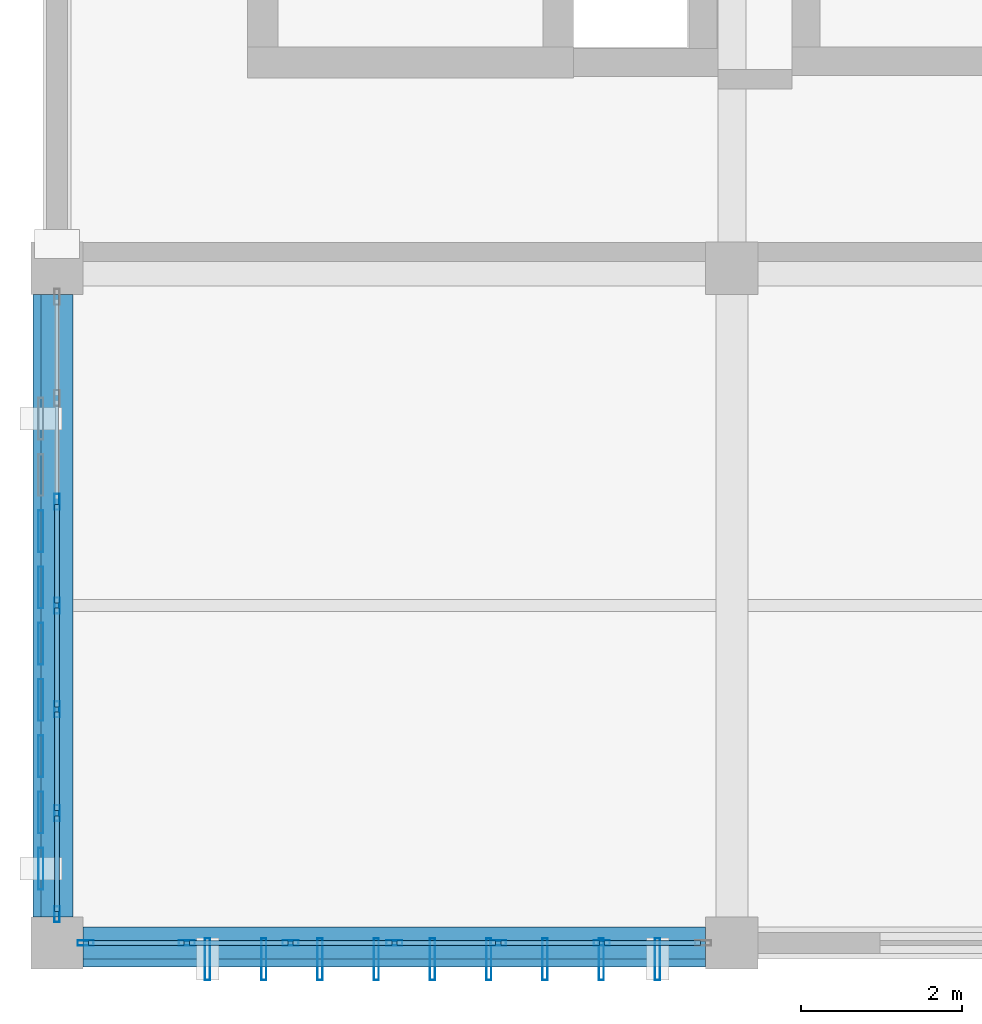
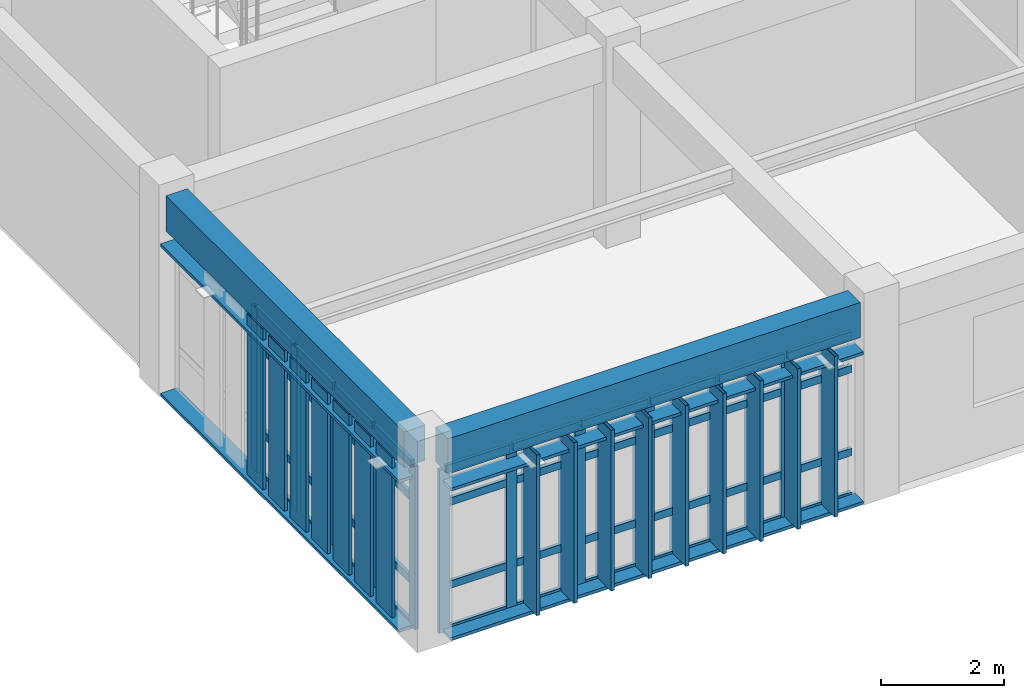
# One storey, part 4 of 22: 71 members, 2 beams, 2 elements without a shape of their own.
"""IFC4 building model written with IfcOpenShell, lengths in metres."""

from ifc_helpers import new_model, si_unit, direction, frame, origin, origin_2d, place, context, subcontext, project, spatial, rectangle, hollow_rectangle, extrude, material, layer, layer_set, material_profile, profile_set, type_object, element, aggregate, save


model = new_model("IFC4")

# Units and contexts
model_context = context("Model", 3, precision=1e-05, world=origin(), true_north=direction((0.0, 1.0)))
body_context = subcontext(model_context, "Body", "Model", "MODEL_VIEW")
ifc_project = project(units=[si_unit("LENGTHUNIT", "METRE"), si_unit("AREAUNIT", "SQUARE_METRE"), si_unit("VOLUMEUNIT", "CUBIC_METRE"), si_unit("PLANEANGLEUNIT", "RADIAN"), si_unit("MASSUNIT", "GRAM", prefix="KILO")], contexts=[model_context])

# Site, building, storey
site_placement = place(None, origin())
site = spatial("IfcSite", under=ifc_project, at=site_placement, CompositionType="ELEMENT")
building_placement = place(site_placement, origin())
building = spatial("IfcBuilding", under=site, at=building_placement, Name="Krzemoval Escarpment Law Courts", CompositionType="ELEMENT")
storey_placement = place(building_placement, frame((0.0, 0.0, 29.39990234375)))
storey = spatial("IfcBuildingStorey", under=building, at=storey_placement, Name="L06", CompositionType="ELEMENT", Elevation=29.39990234375)

# Beams
ifc_material_1 = material(Name="Concrete C40/50", Category="concrete")
ifc_material_profile_1 = material_profile(ifc_material_1, rectangle(XDim=0.39990234375, YDim=0.699951171875, at=origin_2d()), Name="RCB 400x700")
ifc_profile_set_1 = profile_set([ifc_material_profile_1], Name="Concrete C40/50")
beam_type = type_object("IfcBeamType", Name="BM-RC-400x700", PredefinedType="BEAM", material=ifc_profile_set_1)
for number, where, z_axis, x_axis, name in (
    (1, (126.324951171875, 85.199951171875, 3.60009765625), (1.0, 0.0, 0.0), (0.0, 1.0, 0.0), "Beam FG-L06-2634"),
    (2, (126.0, 85.52490234375, 3.60009765625), (0.0, 1.0, 0.0), (-1.0, 0.0, 0.0), "Beam FG-L06-2660"),
):
    element("IfcBeam", number, at=place(storey_placement, frame(where, z_axis=z_axis, x_axis=x_axis)), inside=storey, type_object=beam_type, Name=name, PredefinedType="BEAM", context=body_context, shape_type="SweptSolid", body=[
        extrude(rectangle(XDim=0.39990234375, YDim=0.699951171875, at=origin_2d()), origin(), (0.0, 0.0, 1.0), 7.75),
    ])

# Curtain wall, members
ifc_material_2 = material(Name="Aluminium 6063-T6", Category="aluminium")
ifc_layer = layer(ifc_material_2, 0.219970703125)
ifc_layer_set = layer_set([ifc_layer], Name="Aluminium 6063-T6")
curtain_wall_type = type_object("IfcCurtainWallType", Name="CW-CHMB-4200", PredefinedType="USERDEFINED", material=ifc_layer_set)
curtain_wall_1_placement = place(storey_placement, origin())
curtain_wall_1 = element("IfcCurtainWall", 3, at=curtain_wall_1_placement, inside=storey, type_object=curtain_wall_type, Name="Unitised Curtain Wall FCW-L06-145", ObjectType="UNITISED_CURTAIN_WALL", PredefinedType="USERDEFINED")
ifc_material_3 = material(Name="Aluminium 6063-T6", Category="aluminium")
ifc_material_profile_2 = material_profile(ifc_material_3, hollow_rectangle(XDim=0.06494140625, YDim=0.199951171875, WallThickness=0.00439453125, at=origin_2d()), Name="ALU M65x200")
ifc_profile_set_2 = profile_set([ifc_material_profile_2], Name="Aluminium 6063-T6")
member_type_1 = type_object("IfcMemberType", Name="CWM-65x200", PredefinedType="MULLION", material=ifc_profile_set_2)
member_1_placement = place(storey_placement, frame((132.783447265625, 85.199951171875, 0.0), z_axis=(0.0, 0.0, 1.0), x_axis=(0.0, -1.0, 0.0)))
member_1 = element("IfcMember", 4, at=member_1_placement, type_object=member_type_1, Name="FCW-L06-145 mullion 2", PredefinedType="MULLION", context=body_context, shape_type="SweptSolid", body=[
    extrude(hollow_rectangle(XDim=0.06494140625, YDim=0.199951171875, WallThickness=0.00439453125, at=origin_2d()), origin(), (0.0, 0.0, 1.0), 3.25),
])
member_2_placement = place(storey_placement, frame((131.49169921875, 85.199951171875, 0.0), z_axis=(0.0, 0.0, 1.0), x_axis=(0.0, -1.0, 0.0)))
member_2 = element("IfcMember", 5, at=member_2_placement, type_object=member_type_1, Name="FCW-L06-145 mullion 3", PredefinedType="MULLION", context=body_context, shape_type="SweptSolid", body=[
    extrude(hollow_rectangle(XDim=0.06494140625, YDim=0.199951171875, WallThickness=0.00439453125, at=origin_2d()), origin(), (0.0, 0.0, 1.0), 3.25),
])
member_3_placement = place(storey_placement, frame((130.199951171875, 85.199951171875, 0.0), z_axis=(0.0, 0.0, 1.0), x_axis=(0.0, -1.0, 0.0)))
member_3 = element("IfcMember", 6, at=member_3_placement, type_object=member_type_1, Name="FCW-L06-145 mullion 4", PredefinedType="MULLION", context=body_context, shape_type="SweptSolid", body=[
    extrude(hollow_rectangle(XDim=0.06494140625, YDim=0.199951171875, WallThickness=0.00439453125, at=origin_2d()), origin(), (0.0, 0.0, 1.0), 3.25),
])
member_4_placement = place(storey_placement, frame((128.908447265625, 85.199951171875, 0.0), z_axis=(0.0, 0.0, 1.0), x_axis=(0.0, -1.0, 0.0)))
member_4 = element("IfcMember", 7, at=member_4_placement, type_object=member_type_1, Name="FCW-L06-145 mullion 5", PredefinedType="MULLION", context=body_context, shape_type="SweptSolid", body=[
    extrude(hollow_rectangle(XDim=0.06494140625, YDim=0.199951171875, WallThickness=0.00439453125, at=origin_2d()), origin(), (0.0, 0.0, 1.0), 3.25),
])
member_5_placement = place(storey_placement, frame((127.61669921875, 85.199951171875, 0.0), z_axis=(0.0, 0.0, 1.0), x_axis=(0.0, -1.0, 0.0)))
member_5 = element("IfcMember", 8, at=member_5_placement, type_object=member_type_1, Name="FCW-L06-145 mullion 6", PredefinedType="MULLION", context=body_context, shape_type="SweptSolid", body=[
    extrude(hollow_rectangle(XDim=0.06494140625, YDim=0.199951171875, WallThickness=0.00439453125, at=origin_2d()), origin(), (0.0, 0.0, 1.0), 3.25),
])
member_6_placement = place(storey_placement, frame((126.357421875, 85.199951171875, 0.0), z_axis=(0.0, 0.0, 1.0), x_axis=(0.0, -1.0, 0.0)))
member_6 = element("IfcMember", 9, at=member_6_placement, type_object=member_type_1, Name="FCW-L06-145 mullion 7", PredefinedType="MULLION", context=body_context, shape_type="SweptSolid", body=[
    extrude(hollow_rectangle(XDim=0.06494140625, YDim=0.199951171875, WallThickness=0.00439453125, at=origin_2d()), origin(), (0.0, 0.0, 1.0), 3.25),
])

curtain_wall_2_placement = place(storey_placement, origin())
curtain_wall_2 = element("IfcCurtainWall", 10, at=curtain_wall_2_placement, inside=storey, type_object=curtain_wall_type, Name="Unitised Curtain Wall FCW-L06-146", ObjectType="UNITISED_CURTAIN_WALL", PredefinedType="USERDEFINED")
member_7_placement = place(storey_placement, frame((126.0, 85.5576171875, 0.0), z_axis=(0.0, 0.0, 1.0), x_axis=(-1.0, 0.0, 0.0)))
member_7 = element("IfcMember", 11, at=member_7_placement, type_object=member_type_1, Name="FCW-L06-146 mullion 1", PredefinedType="MULLION", context=body_context, shape_type="SweptSolid", body=[
    extrude(hollow_rectangle(XDim=0.06494140625, YDim=0.199951171875, WallThickness=0.00439453125, at=origin_2d()), origin(), (0.0, 0.0, 1.0), 3.25),
])
member_8_placement = place(storey_placement, frame((126.0, 86.816650390625, 0.0), z_axis=(0.0, 0.0, 1.0), x_axis=(-1.0, 0.0, 0.0)))
member_8 = element("IfcMember", 12, at=member_8_placement, type_object=member_type_1, Name="FCW-L06-146 mullion 2", PredefinedType="MULLION", context=body_context, shape_type="SweptSolid", body=[
    extrude(hollow_rectangle(XDim=0.06494140625, YDim=0.199951171875, WallThickness=0.00439453125, at=origin_2d()), origin(), (0.0, 0.0, 1.0), 3.25),
])
member_9_placement = place(storey_placement, frame((126.0, 88.1083984375, 0.0), z_axis=(0.0, 0.0, 1.0), x_axis=(-1.0, 0.0, 0.0)))
member_9 = element("IfcMember", 13, at=member_9_placement, type_object=member_type_1, Name="FCW-L06-146 mullion 3", PredefinedType="MULLION", context=body_context, shape_type="SweptSolid", body=[
    extrude(hollow_rectangle(XDim=0.06494140625, YDim=0.199951171875, WallThickness=0.00439453125, at=origin_2d()), origin(), (0.0, 0.0, 1.0), 3.25),
])
member_10_placement = place(storey_placement, frame((126.0, 89.39990234375, 0.0), z_axis=(0.0, 0.0, 1.0), x_axis=(-1.0, 0.0, 0.0)))
member_10 = element("IfcMember", 14, at=member_10_placement, type_object=member_type_1, Name="FCW-L06-146 mullion 4", PredefinedType="MULLION", context=body_context, shape_type="SweptSolid", body=[
    extrude(hollow_rectangle(XDim=0.06494140625, YDim=0.199951171875, WallThickness=0.00439453125, at=origin_2d()), origin(), (0.0, 0.0, 1.0), 3.25),
])
member_11_placement = place(storey_placement, frame((126.0, 90.691650390625, 0.0), z_axis=(0.0, 0.0, 1.0), x_axis=(-1.0, 0.0, 0.0)))
member_11 = element("IfcMember", 15, at=member_11_placement, type_object=member_type_1, Name="FCW-L06-146 mullion 5", PredefinedType="MULLION", context=body_context, shape_type="SweptSolid", body=[
    extrude(hollow_rectangle(XDim=0.06494140625, YDim=0.199951171875, WallThickness=0.00439453125, at=origin_2d()), origin(), (0.0, 0.0, 1.0), 3.25),
])

# Member
ifc_material_4 = material(Name="Aluminium 6063-T6", Category="aluminium")
ifc_material_profile_3 = material_profile(ifc_material_4, hollow_rectangle(XDim=0.06494140625, YDim=0.14990234375, WallThickness=0.00439453125, at=origin_2d()), Name="ALU T65x150")
ifc_profile_set_3 = profile_set([ifc_material_profile_3], Name="Aluminium 6063-T6")
member_type_2 = type_object("IfcMemberType", Name="CWT-65x150", PredefinedType="USERDEFINED", material=ifc_profile_set_3)
member_12_placement = place(storey_placement, frame((134.010009765625, 85.199951171875, 0.03271484375), z_axis=(-1.0, 0.0, 0.0), x_axis=(0.0, -1.0, 0.0)))
member_12 = element("IfcMember", 16, at=member_12_placement, type_object=member_type_2, Name="FCW-L06-145 transom 1.1", ObjectType="TRANSOM", PredefinedType="USERDEFINED", context=body_context, shape_type="SweptSolid", body=[
    extrude(hollow_rectangle(XDim=0.06494140625, YDim=0.14990234375, WallThickness=0.00439453125, at=origin_2d()), origin(), (0.0, 0.0, 1.0), 1.194091796875),
])

member_13_placement = place(storey_placement, frame((134.010009765625, 85.199951171875, 0.900146484375), z_axis=(-1.0, 0.0, 0.0), x_axis=(0.0, -1.0, 0.0)))
member_13 = element("IfcMember", 17, at=member_13_placement, type_object=member_type_2, Name="FCW-L06-145 transom 1.2", ObjectType="TRANSOM", PredefinedType="USERDEFINED", context=body_context, shape_type="SweptSolid", body=[
    extrude(hollow_rectangle(XDim=0.06494140625, YDim=0.14990234375, WallThickness=0.00439453125, at=origin_2d()), origin(), (0.0, 0.0, 1.0), 1.194091796875),
])

member_14_placement = place(storey_placement, frame((134.010009765625, 85.199951171875, 2.550048828125), z_axis=(-1.0, 0.0, 0.0), x_axis=(0.0, -1.0, 0.0)))
member_14 = element("IfcMember", 18, at=member_14_placement, type_object=member_type_2, Name="FCW-L06-145 transom 1.3", ObjectType="TRANSOM", PredefinedType="USERDEFINED", context=body_context, shape_type="SweptSolid", body=[
    extrude(hollow_rectangle(XDim=0.06494140625, YDim=0.14990234375, WallThickness=0.00439453125, at=origin_2d()), origin(), (0.0, 0.0, 1.0), 1.194091796875),
])

member_15_placement = place(storey_placement, frame((134.010009765625, 85.199951171875, 3.217529296875), z_axis=(-1.0, 0.0, 0.0), x_axis=(0.0, -1.0, 0.0)))
member_15 = element("IfcMember", 19, at=member_15_placement, type_object=member_type_2, Name="FCW-L06-145 transom 1.4", ObjectType="TRANSOM", PredefinedType="USERDEFINED", context=body_context, shape_type="SweptSolid", body=[
    extrude(hollow_rectangle(XDim=0.06494140625, YDim=0.14990234375, WallThickness=0.00439453125, at=origin_2d()), origin(), (0.0, 0.0, 1.0), 1.194091796875),
])

member_16_placement = place(storey_placement, frame((132.750732421875, 85.199951171875, 0.03271484375), z_axis=(-1.0, 0.0, 0.0), x_axis=(0.0, -1.0, 0.0)))
member_16 = element("IfcMember", 20, at=member_16_placement, type_object=member_type_2, Name="FCW-L06-145 transom 2.1", ObjectType="TRANSOM", PredefinedType="USERDEFINED", context=body_context, shape_type="SweptSolid", body=[
    extrude(hollow_rectangle(XDim=0.06494140625, YDim=0.14990234375, WallThickness=0.00439453125, at=origin_2d()), origin(), (0.0, 0.0, 1.0), 1.2265625),
])

member_17_placement = place(storey_placement, frame((132.750732421875, 85.199951171875, 0.900146484375), z_axis=(-1.0, 0.0, 0.0), x_axis=(0.0, -1.0, 0.0)))
member_17 = element("IfcMember", 21, at=member_17_placement, type_object=member_type_2, Name="FCW-L06-145 transom 2.2", ObjectType="TRANSOM", PredefinedType="USERDEFINED", context=body_context, shape_type="SweptSolid", body=[
    extrude(hollow_rectangle(XDim=0.06494140625, YDim=0.14990234375, WallThickness=0.00439453125, at=origin_2d()), origin(), (0.0, 0.0, 1.0), 1.2265625),
])

member_18_placement = place(storey_placement, frame((132.750732421875, 85.199951171875, 2.550048828125), z_axis=(-1.0, 0.0, 0.0), x_axis=(0.0, -1.0, 0.0)))
member_18 = element("IfcMember", 22, at=member_18_placement, type_object=member_type_2, Name="FCW-L06-145 transom 2.3", ObjectType="TRANSOM", PredefinedType="USERDEFINED", context=body_context, shape_type="SweptSolid", body=[
    extrude(hollow_rectangle(XDim=0.06494140625, YDim=0.14990234375, WallThickness=0.00439453125, at=origin_2d()), origin(), (0.0, 0.0, 1.0), 1.2265625),
])

member_19_placement = place(storey_placement, frame((132.750732421875, 85.199951171875, 3.217529296875), z_axis=(-1.0, 0.0, 0.0), x_axis=(0.0, -1.0, 0.0)))
member_19 = element("IfcMember", 23, at=member_19_placement, type_object=member_type_2, Name="FCW-L06-145 transom 2.4", ObjectType="TRANSOM", PredefinedType="USERDEFINED", context=body_context, shape_type="SweptSolid", body=[
    extrude(hollow_rectangle(XDim=0.06494140625, YDim=0.14990234375, WallThickness=0.00439453125, at=origin_2d()), origin(), (0.0, 0.0, 1.0), 1.2265625),
])

member_20_placement = place(storey_placement, frame((131.459228515625, 85.199951171875, 0.03271484375), z_axis=(-1.0, 0.0, 0.0), x_axis=(0.0, -1.0, 0.0)))
member_20 = element("IfcMember", 24, at=member_20_placement, type_object=member_type_2, Name="FCW-L06-145 transom 3.1", ObjectType="TRANSOM", PredefinedType="USERDEFINED", context=body_context, shape_type="SweptSolid", body=[
    extrude(hollow_rectangle(XDim=0.06494140625, YDim=0.14990234375, WallThickness=0.00439453125, at=origin_2d()), origin(), (0.0, 0.0, 1.0), 1.226806640625),
])

member_21_placement = place(storey_placement, frame((131.459228515625, 85.199951171875, 0.900146484375), z_axis=(-1.0, 0.0, 0.0), x_axis=(0.0, -1.0, 0.0)))
member_21 = element("IfcMember", 25, at=member_21_placement, type_object=member_type_2, Name="FCW-L06-145 transom 3.2", ObjectType="TRANSOM", PredefinedType="USERDEFINED", context=body_context, shape_type="SweptSolid", body=[
    extrude(hollow_rectangle(XDim=0.06494140625, YDim=0.14990234375, WallThickness=0.00439453125, at=origin_2d()), origin(), (0.0, 0.0, 1.0), 1.226806640625),
])

member_22_placement = place(storey_placement, frame((131.459228515625, 85.199951171875, 2.550048828125), z_axis=(-1.0, 0.0, 0.0), x_axis=(0.0, -1.0, 0.0)))
member_22 = element("IfcMember", 26, at=member_22_placement, type_object=member_type_2, Name="FCW-L06-145 transom 3.3", ObjectType="TRANSOM", PredefinedType="USERDEFINED", context=body_context, shape_type="SweptSolid", body=[
    extrude(hollow_rectangle(XDim=0.06494140625, YDim=0.14990234375, WallThickness=0.00439453125, at=origin_2d()), origin(), (0.0, 0.0, 1.0), 1.226806640625),
])

member_23_placement = place(storey_placement, frame((131.459228515625, 85.199951171875, 3.217529296875), z_axis=(-1.0, 0.0, 0.0), x_axis=(0.0, -1.0, 0.0)))
member_23 = element("IfcMember", 27, at=member_23_placement, type_object=member_type_2, Name="FCW-L06-145 transom 3.4", ObjectType="TRANSOM", PredefinedType="USERDEFINED", context=body_context, shape_type="SweptSolid", body=[
    extrude(hollow_rectangle(XDim=0.06494140625, YDim=0.14990234375, WallThickness=0.00439453125, at=origin_2d()), origin(), (0.0, 0.0, 1.0), 1.226806640625),
])

member_24_placement = place(storey_placement, frame((130.16748046875, 85.199951171875, 0.03271484375), z_axis=(-1.0, 0.0, 0.0), x_axis=(0.0, -1.0, 0.0)))
member_24 = element("IfcMember", 28, at=member_24_placement, type_object=member_type_2, Name="FCW-L06-145 transom 4.1", ObjectType="TRANSOM", PredefinedType="USERDEFINED", context=body_context, shape_type="SweptSolid", body=[
    extrude(hollow_rectangle(XDim=0.06494140625, YDim=0.14990234375, WallThickness=0.00439453125, at=origin_2d()), origin(), (0.0, 0.0, 1.0), 1.2265625),
])

member_25_placement = place(storey_placement, frame((130.16748046875, 85.199951171875, 0.900146484375), z_axis=(-1.0, 0.0, 0.0), x_axis=(0.0, -1.0, 0.0)))
member_25 = element("IfcMember", 29, at=member_25_placement, type_object=member_type_2, Name="FCW-L06-145 transom 4.2", ObjectType="TRANSOM", PredefinedType="USERDEFINED", context=body_context, shape_type="SweptSolid", body=[
    extrude(hollow_rectangle(XDim=0.06494140625, YDim=0.14990234375, WallThickness=0.00439453125, at=origin_2d()), origin(), (0.0, 0.0, 1.0), 1.2265625),
])

member_26_placement = place(storey_placement, frame((130.16748046875, 85.199951171875, 2.550048828125), z_axis=(-1.0, 0.0, 0.0), x_axis=(0.0, -1.0, 0.0)))
member_26 = element("IfcMember", 30, at=member_26_placement, type_object=member_type_2, Name="FCW-L06-145 transom 4.3", ObjectType="TRANSOM", PredefinedType="USERDEFINED", context=body_context, shape_type="SweptSolid", body=[
    extrude(hollow_rectangle(XDim=0.06494140625, YDim=0.14990234375, WallThickness=0.00439453125, at=origin_2d()), origin(), (0.0, 0.0, 1.0), 1.2265625),
])

member_27_placement = place(storey_placement, frame((130.16748046875, 85.199951171875, 3.217529296875), z_axis=(-1.0, 0.0, 0.0), x_axis=(0.0, -1.0, 0.0)))
member_27 = element("IfcMember", 31, at=member_27_placement, type_object=member_type_2, Name="FCW-L06-145 transom 4.4", ObjectType="TRANSOM", PredefinedType="USERDEFINED", context=body_context, shape_type="SweptSolid", body=[
    extrude(hollow_rectangle(XDim=0.06494140625, YDim=0.14990234375, WallThickness=0.00439453125, at=origin_2d()), origin(), (0.0, 0.0, 1.0), 1.2265625),
])

member_28_placement = place(storey_placement, frame((128.875732421875, 85.199951171875, 0.03271484375), z_axis=(-1.0, 0.0, 0.0), x_axis=(0.0, -1.0, 0.0)))
member_28 = element("IfcMember", 32, at=member_28_placement, type_object=member_type_2, Name="FCW-L06-145 transom 5.1", ObjectType="TRANSOM", PredefinedType="USERDEFINED", context=body_context, shape_type="SweptSolid", body=[
    extrude(hollow_rectangle(XDim=0.06494140625, YDim=0.14990234375, WallThickness=0.00439453125, at=origin_2d()), origin(), (0.0, 0.0, 1.0), 1.2265625),
])

member_29_placement = place(storey_placement, frame((128.875732421875, 85.199951171875, 0.900146484375), z_axis=(-1.0, 0.0, 0.0), x_axis=(0.0, -1.0, 0.0)))
member_29 = element("IfcMember", 33, at=member_29_placement, type_object=member_type_2, Name="FCW-L06-145 transom 5.2", ObjectType="TRANSOM", PredefinedType="USERDEFINED", context=body_context, shape_type="SweptSolid", body=[
    extrude(hollow_rectangle(XDim=0.06494140625, YDim=0.14990234375, WallThickness=0.00439453125, at=origin_2d()), origin(), (0.0, 0.0, 1.0), 1.2265625),
])

member_30_placement = place(storey_placement, frame((128.875732421875, 85.199951171875, 2.550048828125), z_axis=(-1.0, 0.0, 0.0), x_axis=(0.0, -1.0, 0.0)))
member_30 = element("IfcMember", 34, at=member_30_placement, type_object=member_type_2, Name="FCW-L06-145 transom 5.3", ObjectType="TRANSOM", PredefinedType="USERDEFINED", context=body_context, shape_type="SweptSolid", body=[
    extrude(hollow_rectangle(XDim=0.06494140625, YDim=0.14990234375, WallThickness=0.00439453125, at=origin_2d()), origin(), (0.0, 0.0, 1.0), 1.2265625),
])

member_31_placement = place(storey_placement, frame((128.875732421875, 85.199951171875, 3.217529296875), z_axis=(-1.0, 0.0, 0.0), x_axis=(0.0, -1.0, 0.0)))
member_31 = element("IfcMember", 35, at=member_31_placement, type_object=member_type_2, Name="FCW-L06-145 transom 5.4", ObjectType="TRANSOM", PredefinedType="USERDEFINED", context=body_context, shape_type="SweptSolid", body=[
    extrude(hollow_rectangle(XDim=0.06494140625, YDim=0.14990234375, WallThickness=0.00439453125, at=origin_2d()), origin(), (0.0, 0.0, 1.0), 1.2265625),
])

member_32_placement = place(storey_placement, frame((127.584228515625, 85.199951171875, 0.03271484375), z_axis=(-1.0, 0.0, 0.0), x_axis=(0.0, -1.0, 0.0)))
member_32 = element("IfcMember", 36, at=member_32_placement, type_object=member_type_2, Name="FCW-L06-145 transom 6.1", ObjectType="TRANSOM", PredefinedType="USERDEFINED", context=body_context, shape_type="SweptSolid", body=[
    extrude(hollow_rectangle(XDim=0.06494140625, YDim=0.14990234375, WallThickness=0.00439453125, at=origin_2d()), origin(), (0.0, 0.0, 1.0), 1.1943359375),
])

member_33_placement = place(storey_placement, frame((127.584228515625, 85.199951171875, 0.900146484375), z_axis=(-1.0, 0.0, 0.0), x_axis=(0.0, -1.0, 0.0)))
member_33 = element("IfcMember", 37, at=member_33_placement, type_object=member_type_2, Name="FCW-L06-145 transom 6.2", ObjectType="TRANSOM", PredefinedType="USERDEFINED", context=body_context, shape_type="SweptSolid", body=[
    extrude(hollow_rectangle(XDim=0.06494140625, YDim=0.14990234375, WallThickness=0.00439453125, at=origin_2d()), origin(), (0.0, 0.0, 1.0), 1.1943359375),
])

member_34_placement = place(storey_placement, frame((127.584228515625, 85.199951171875, 2.550048828125), z_axis=(-1.0, 0.0, 0.0), x_axis=(0.0, -1.0, 0.0)))
member_34 = element("IfcMember", 38, at=member_34_placement, type_object=member_type_2, Name="FCW-L06-145 transom 6.3", ObjectType="TRANSOM", PredefinedType="USERDEFINED", context=body_context, shape_type="SweptSolid", body=[
    extrude(hollow_rectangle(XDim=0.06494140625, YDim=0.14990234375, WallThickness=0.00439453125, at=origin_2d()), origin(), (0.0, 0.0, 1.0), 1.1943359375),
])

member_35_placement = place(storey_placement, frame((127.584228515625, 85.199951171875, 3.217529296875), z_axis=(-1.0, 0.0, 0.0), x_axis=(0.0, -1.0, 0.0)))
member_35 = element("IfcMember", 39, at=member_35_placement, type_object=member_type_2, Name="FCW-L06-145 transom 6.4", ObjectType="TRANSOM", PredefinedType="USERDEFINED", context=body_context, shape_type="SweptSolid", body=[
    extrude(hollow_rectangle(XDim=0.06494140625, YDim=0.14990234375, WallThickness=0.00439453125, at=origin_2d()), origin(), (0.0, 0.0, 1.0), 1.1943359375),
])

aggregate(curtain_wall_1, [member_1, member_2, member_3, member_4, member_5, member_6, member_12, member_13, member_14, member_15, member_16, member_17, member_18, member_19, member_20, member_21, member_22, member_23, member_24, member_25, member_26, member_27, member_28, member_29, member_30, member_31, member_32, member_33, member_34, member_35])

member_36_placement = place(storey_placement, frame((126.0, 85.590087890625, 0.03271484375), z_axis=(0.0, 1.0, 0.0), x_axis=(-1.0, 0.0, 0.0)))
member_36 = element("IfcMember", 40, at=member_36_placement, type_object=member_type_2, Name="FCW-L06-146 transom 1.1", ObjectType="TRANSOM", PredefinedType="USERDEFINED", context=body_context, shape_type="SweptSolid", body=[
    extrude(hollow_rectangle(XDim=0.06494140625, YDim=0.14990234375, WallThickness=0.00439453125, at=origin_2d()), origin(), (0.0, 0.0, 1.0), 1.194091796875),
])

member_37_placement = place(storey_placement, frame((126.0, 85.590087890625, 0.900146484375), z_axis=(0.0, 1.0, 0.0), x_axis=(-1.0, 0.0, 0.0)))
member_37 = element("IfcMember", 41, at=member_37_placement, type_object=member_type_2, Name="FCW-L06-146 transom 1.2", ObjectType="TRANSOM", PredefinedType="USERDEFINED", context=body_context, shape_type="SweptSolid", body=[
    extrude(hollow_rectangle(XDim=0.06494140625, YDim=0.14990234375, WallThickness=0.00439453125, at=origin_2d()), origin(), (0.0, 0.0, 1.0), 1.194091796875),
])

member_38_placement = place(storey_placement, frame((126.0, 85.590087890625, 2.550048828125), z_axis=(0.0, 1.0, 0.0), x_axis=(-1.0, 0.0, 0.0)))
member_38 = element("IfcMember", 42, at=member_38_placement, type_object=member_type_2, Name="FCW-L06-146 transom 1.3", ObjectType="TRANSOM", PredefinedType="USERDEFINED", context=body_context, shape_type="SweptSolid", body=[
    extrude(hollow_rectangle(XDim=0.06494140625, YDim=0.14990234375, WallThickness=0.00439453125, at=origin_2d()), origin(), (0.0, 0.0, 1.0), 1.194091796875),
])

member_39_placement = place(storey_placement, frame((126.0, 85.590087890625, 3.217529296875), z_axis=(0.0, 1.0, 0.0), x_axis=(-1.0, 0.0, 0.0)))
member_39 = element("IfcMember", 43, at=member_39_placement, type_object=member_type_2, Name="FCW-L06-146 transom 1.4", ObjectType="TRANSOM", PredefinedType="USERDEFINED", context=body_context, shape_type="SweptSolid", body=[
    extrude(hollow_rectangle(XDim=0.06494140625, YDim=0.14990234375, WallThickness=0.00439453125, at=origin_2d()), origin(), (0.0, 0.0, 1.0), 1.194091796875),
])

member_40_placement = place(storey_placement, frame((126.0, 86.84912109375, 0.03271484375), z_axis=(0.0, 1.0, 0.0), x_axis=(-1.0, 0.0, 0.0)))
member_40 = element("IfcMember", 44, at=member_40_placement, type_object=member_type_2, Name="FCW-L06-146 transom 2.1", ObjectType="TRANSOM", PredefinedType="USERDEFINED", context=body_context, shape_type="SweptSolid", body=[
    extrude(hollow_rectangle(XDim=0.06494140625, YDim=0.14990234375, WallThickness=0.00439453125, at=origin_2d()), origin(), (0.0, 0.0, 1.0), 1.226806640625),
])

member_41_placement = place(storey_placement, frame((126.0, 86.84912109375, 0.900146484375), z_axis=(0.0, 1.0, 0.0), x_axis=(-1.0, 0.0, 0.0)))
member_41 = element("IfcMember", 45, at=member_41_placement, type_object=member_type_2, Name="FCW-L06-146 transom 2.2", ObjectType="TRANSOM", PredefinedType="USERDEFINED", context=body_context, shape_type="SweptSolid", body=[
    extrude(hollow_rectangle(XDim=0.06494140625, YDim=0.14990234375, WallThickness=0.00439453125, at=origin_2d()), origin(), (0.0, 0.0, 1.0), 1.226806640625),
])

member_42_placement = place(storey_placement, frame((126.0, 86.84912109375, 2.550048828125), z_axis=(0.0, 1.0, 0.0), x_axis=(-1.0, 0.0, 0.0)))
member_42 = element("IfcMember", 46, at=member_42_placement, type_object=member_type_2, Name="FCW-L06-146 transom 2.3", ObjectType="TRANSOM", PredefinedType="USERDEFINED", context=body_context, shape_type="SweptSolid", body=[
    extrude(hollow_rectangle(XDim=0.06494140625, YDim=0.14990234375, WallThickness=0.00439453125, at=origin_2d()), origin(), (0.0, 0.0, 1.0), 1.226806640625),
])

member_43_placement = place(storey_placement, frame((126.0, 86.84912109375, 3.217529296875), z_axis=(0.0, 1.0, 0.0), x_axis=(-1.0, 0.0, 0.0)))
member_43 = element("IfcMember", 47, at=member_43_placement, type_object=member_type_2, Name="FCW-L06-146 transom 2.4", ObjectType="TRANSOM", PredefinedType="USERDEFINED", context=body_context, shape_type="SweptSolid", body=[
    extrude(hollow_rectangle(XDim=0.06494140625, YDim=0.14990234375, WallThickness=0.00439453125, at=origin_2d()), origin(), (0.0, 0.0, 1.0), 1.226806640625),
])

member_44_placement = place(storey_placement, frame((126.0, 88.140869140625, 0.03271484375), z_axis=(0.0, 1.0, 0.0), x_axis=(-1.0, 0.0, 0.0)))
member_44 = element("IfcMember", 48, at=member_44_placement, type_object=member_type_2, Name="FCW-L06-146 transom 3.1", ObjectType="TRANSOM", PredefinedType="USERDEFINED", context=body_context, shape_type="SweptSolid", body=[
    extrude(hollow_rectangle(XDim=0.06494140625, YDim=0.14990234375, WallThickness=0.00439453125, at=origin_2d()), origin(), (0.0, 0.0, 1.0), 1.2265625),
])

member_45_placement = place(storey_placement, frame((126.0, 88.140869140625, 0.900146484375), z_axis=(0.0, 1.0, 0.0), x_axis=(-1.0, 0.0, 0.0)))
member_45 = element("IfcMember", 49, at=member_45_placement, type_object=member_type_2, Name="FCW-L06-146 transom 3.2", ObjectType="TRANSOM", PredefinedType="USERDEFINED", context=body_context, shape_type="SweptSolid", body=[
    extrude(hollow_rectangle(XDim=0.06494140625, YDim=0.14990234375, WallThickness=0.00439453125, at=origin_2d()), origin(), (0.0, 0.0, 1.0), 1.2265625),
])

member_46_placement = place(storey_placement, frame((126.0, 88.140869140625, 2.550048828125), z_axis=(0.0, 1.0, 0.0), x_axis=(-1.0, 0.0, 0.0)))
member_46 = element("IfcMember", 50, at=member_46_placement, type_object=member_type_2, Name="FCW-L06-146 transom 3.3", ObjectType="TRANSOM", PredefinedType="USERDEFINED", context=body_context, shape_type="SweptSolid", body=[
    extrude(hollow_rectangle(XDim=0.06494140625, YDim=0.14990234375, WallThickness=0.00439453125, at=origin_2d()), origin(), (0.0, 0.0, 1.0), 1.2265625),
])

member_47_placement = place(storey_placement, frame((126.0, 88.140869140625, 3.217529296875), z_axis=(0.0, 1.0, 0.0), x_axis=(-1.0, 0.0, 0.0)))
member_47 = element("IfcMember", 51, at=member_47_placement, type_object=member_type_2, Name="FCW-L06-146 transom 3.4", ObjectType="TRANSOM", PredefinedType="USERDEFINED", context=body_context, shape_type="SweptSolid", body=[
    extrude(hollow_rectangle(XDim=0.06494140625, YDim=0.14990234375, WallThickness=0.00439453125, at=origin_2d()), origin(), (0.0, 0.0, 1.0), 1.2265625),
])

member_48_placement = place(storey_placement, frame((126.0, 89.4326171875, 0.03271484375), z_axis=(0.0, 1.0, 0.0), x_axis=(-1.0, 0.0, 0.0)))
member_48 = element("IfcMember", 52, at=member_48_placement, type_object=member_type_2, Name="FCW-L06-146 transom 4.1", ObjectType="TRANSOM", PredefinedType="USERDEFINED", context=body_context, shape_type="SweptSolid", body=[
    extrude(hollow_rectangle(XDim=0.06494140625, YDim=0.14990234375, WallThickness=0.00439453125, at=origin_2d()), origin(), (0.0, 0.0, 1.0), 1.2265625),
])

member_49_placement = place(storey_placement, frame((126.0, 89.4326171875, 0.900146484375), z_axis=(0.0, 1.0, 0.0), x_axis=(-1.0, 0.0, 0.0)))
member_49 = element("IfcMember", 53, at=member_49_placement, type_object=member_type_2, Name="FCW-L06-146 transom 4.2", ObjectType="TRANSOM", PredefinedType="USERDEFINED", context=body_context, shape_type="SweptSolid", body=[
    extrude(hollow_rectangle(XDim=0.06494140625, YDim=0.14990234375, WallThickness=0.00439453125, at=origin_2d()), origin(), (0.0, 0.0, 1.0), 1.2265625),
])

member_50_placement = place(storey_placement, frame((126.0, 89.4326171875, 2.550048828125), z_axis=(0.0, 1.0, 0.0), x_axis=(-1.0, 0.0, 0.0)))
member_50 = element("IfcMember", 54, at=member_50_placement, type_object=member_type_2, Name="FCW-L06-146 transom 4.3", ObjectType="TRANSOM", PredefinedType="USERDEFINED", context=body_context, shape_type="SweptSolid", body=[
    extrude(hollow_rectangle(XDim=0.06494140625, YDim=0.14990234375, WallThickness=0.00439453125, at=origin_2d()), origin(), (0.0, 0.0, 1.0), 1.2265625),
])

member_51_placement = place(storey_placement, frame((126.0, 89.4326171875, 3.217529296875), z_axis=(0.0, 1.0, 0.0), x_axis=(-1.0, 0.0, 0.0)))
member_51 = element("IfcMember", 55, at=member_51_placement, type_object=member_type_2, Name="FCW-L06-146 transom 4.4", ObjectType="TRANSOM", PredefinedType="USERDEFINED", context=body_context, shape_type="SweptSolid", body=[
    extrude(hollow_rectangle(XDim=0.06494140625, YDim=0.14990234375, WallThickness=0.00439453125, at=origin_2d()), origin(), (0.0, 0.0, 1.0), 1.2265625),
])

aggregate(curtain_wall_2, [member_7, member_8, member_9, member_10, member_11, member_36, member_37, member_38, member_39, member_40, member_41, member_42, member_43, member_44, member_45, member_46, member_47, member_48, member_49, member_50, member_51])

# Members
ifc_material_5 = material(Name="Anodised Aluminium Alloy 6063-T6", Category="aluminium")
ifc_material_profile_4 = material_profile(ifc_material_5, hollow_rectangle(XDim=0.06005859375, YDim=0.320068359375, WallThickness=0.00390625, at=origin_2d()), Name="ALU LVR 60x320")
ifc_profile_set_4 = profile_set([ifc_material_profile_4], Name="Anodised Aluminium Alloy 6063-T6")
member_type_3 = type_object("IfcMemberType", Name="LVR-ALU-320", PredefinedType="USERDEFINED", material=ifc_profile_set_4)
for number, where, z_axis, x_axis, name in (
    (56, (134.074951171875, 85.06005859375, 0.030029296875), (-1.0, 0.0, 0.0), (0.0, 0.0, 1.0), "Sunshade Support Rail FSR-L06-0961"),
    (57, (134.074951171875, 85.06005859375, 3.0), (-1.0, 0.0, 0.0), (0.0, 0.0, 1.0), "Sunshade Support Rail FSR-L06-0962"),
    (58, (125.860107421875, 85.52490234375, 0.030029296875), (0.0, 1.0, 0.0), (0.0, 0.0, 1.0), "Sunshade Support Rail FSR-L06-0972"),
    (59, (125.860107421875, 85.52490234375, 3.0), (0.0, 1.0, 0.0), (0.0, 0.0, 1.0), "Sunshade Support Rail FSR-L06-0973"),
):
    element("IfcMember", number, at=place(storey_placement, frame(where, z_axis=z_axis, x_axis=x_axis)), inside=storey, type_object=member_type_3, Name=name, ObjectType="SUNSHADE_LOUVRE", PredefinedType="USERDEFINED", context=body_context, shape_type="SweptSolid", body=[
        extrude(hollow_rectangle(XDim=0.06005859375, YDim=0.320068359375, WallThickness=0.00390625, at=origin_2d()), origin(), (0.0, 0.0, 1.0), 7.75),
    ])
ifc_material_6 = material(Name="Anodised Aluminium Alloy 6063-T6", Category="aluminium")
ifc_material_profile_5 = material_profile(ifc_material_6, hollow_rectangle(XDim=0.06494140625, YDim=0.52001953125, WallThickness=0.00439453125, at=origin_2d()), Name="ALU LVR 65x520")
ifc_profile_set_5 = profile_set([ifc_material_profile_5], Name="Anodised Aluminium Alloy 6063-T6")
member_type_4 = type_object("IfcMemberType", Name="LVR-ALU-520", PredefinedType="USERDEFINED", material=ifc_profile_set_5)
for number, where, z_axis, x_axis, name in (
    (60, (133.47509765625, 85.0, 0.06005859375), (0.0, 0.0, 1.0), (1.0, 0.0, 0.0), "Sunshade Louvre Fin FLV-L06-0963"),
    (61, (132.77490234375, 85.0, 0.06005859375), (0.0, 0.0, 1.0), (1.0, 0.0, 0.0), "Sunshade Louvre Fin FLV-L06-0964"),
    (62, (132.074951171875, 85.0, 0.06005859375), (0.0, 0.0, 1.0), (1.0, 0.0, 0.0), "Sunshade Louvre Fin FLV-L06-0965"),
    (63, (131.375, 85.0, 0.06005859375), (0.0, 0.0, 1.0), (1.0, 0.0, 0.0), "Sunshade Louvre Fin FLV-L06-0966"),
    (64, (130.675048828125, 85.0, 0.06005859375), (0.0, 0.0, 1.0), (1.0, 0.0, 0.0), "Sunshade Louvre Fin FLV-L06-0967"),
    (65, (129.97509765625, 85.0, 0.06005859375), (0.0, 0.0, 1.0), (1.0, 0.0, 0.0), "Sunshade Louvre Fin FLV-L06-0968"),
    (66, (129.27490234375, 85.0, 0.06005859375), (0.0, 0.0, 1.0), (1.0, 0.0, 0.0), "Sunshade Louvre Fin FLV-L06-0969"),
    (67, (128.574951171875, 85.0, 0.06005859375), (0.0, 0.0, 1.0), (1.0, 0.0, 0.0), "Sunshade Louvre Fin FLV-L06-0970"),
    (68, (127.875, 85.0, 0.06005859375), (0.0, 0.0, 1.0), (1.0, 0.0, 0.0), "Sunshade Louvre Fin FLV-L06-0971"),
    (69, (125.800048828125, 86.125, 0.06005859375), (0.0, 0.0, 1.0), (1.0, 0.0, 0.0), "Sunshade Louvre Fin FLV-L06-0974"),
    (70, (125.800048828125, 86.824951171875, 0.06005859375), (0.0, 0.0, 1.0), (1.0, 0.0, 0.0), "Sunshade Louvre Fin FLV-L06-0975"),
    (71, (125.800048828125, 87.52490234375, 0.06005859375), (0.0, 0.0, 1.0), (1.0, 0.0, 0.0), "Sunshade Louvre Fin FLV-L06-0976"),
    (72, (125.800048828125, 88.22509765625, 0.06005859375), (0.0, 0.0, 1.0), (1.0, 0.0, 0.0), "Sunshade Louvre Fin FLV-L06-0977"),
    (73, (125.800048828125, 88.925048828125, 0.06005859375), (0.0, 0.0, 1.0), (1.0, 0.0, 0.0), "Sunshade Louvre Fin FLV-L06-0978"),
    (74, (125.800048828125, 89.625, 0.06005859375), (0.0, 0.0, 1.0), (1.0, 0.0, 0.0), "Sunshade Louvre Fin FLV-L06-0979"),
    (75, (125.800048828125, 90.324951171875, 0.06005859375), (0.0, 0.0, 1.0), (1.0, 0.0, 0.0), "Sunshade Louvre Fin FLV-L06-0980"),
):
    element("IfcMember", number, at=place(storey_placement, frame(where, z_axis=z_axis, x_axis=x_axis)), inside=storey, type_object=member_type_4, Name=name, ObjectType="SUNSHADE_LOUVRE", PredefinedType="USERDEFINED", context=body_context, shape_type="SweptSolid", body=[
        extrude(hollow_rectangle(XDim=0.06494140625, YDim=0.52001953125, WallThickness=0.00439453125, at=origin_2d()), origin(), (0.0, 0.0, 1.0), 3.18994140625),
    ])

save(model, "model.ifc")
